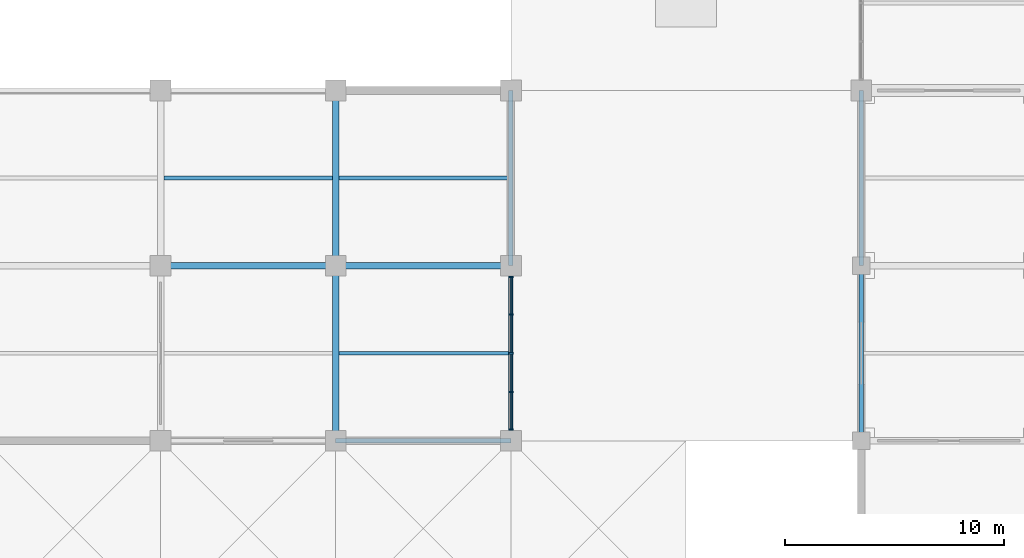
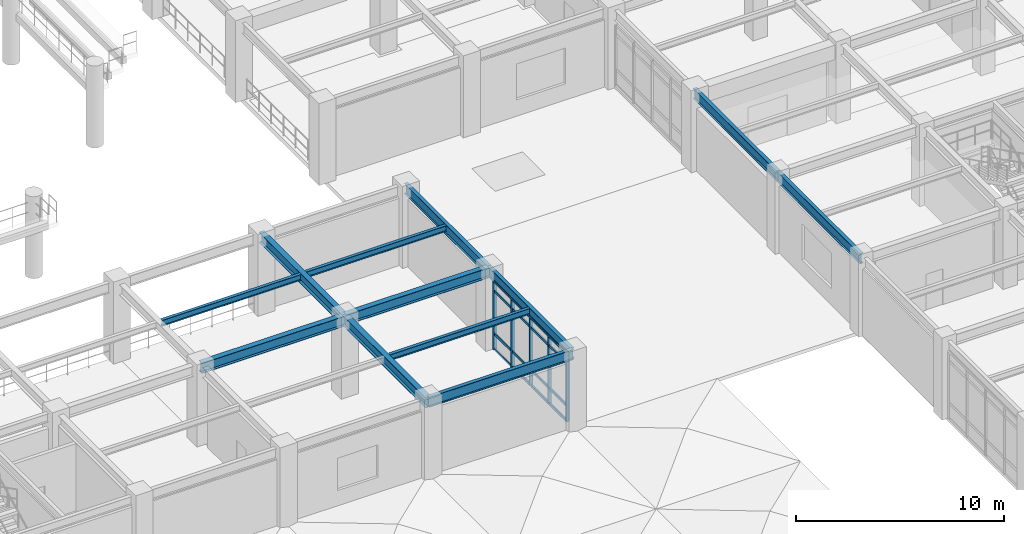
# One storey, part 20 of 109: 21 members, 12 beams, 1 element without a shape of its own.
"""IFC4 building model written with IfcOpenShell, lengths in metres."""

from ifc_helpers import new_model, si_unit, direction, frame, origin, origin_2d, place, context, subcontext, project, spatial, rectangle, i_section, extrude, material, layer, layer_set, material_profile, profile_set, type_object, element, aggregate, save


model = new_model("IFC4")

# Units and contexts
model_context = context("Model", 3, precision=1e-05, world=origin(), true_north=direction((0.0, 1.0)))
body_context = subcontext(model_context, "Body", "Model", "MODEL_VIEW")
ifc_project = project(units=[si_unit("LENGTHUNIT", "METRE"), si_unit("AREAUNIT", "SQUARE_METRE"), si_unit("VOLUMEUNIT", "CUBIC_METRE"), si_unit("PLANEANGLEUNIT", "RADIAN"), si_unit("MASSUNIT", "GRAM", prefix="KILO")], contexts=[model_context])

# Site, building, storey
site_placement = place(None, origin())
site = spatial("IfcSite", under=ifc_project, at=site_placement, CompositionType="ELEMENT")
building_placement = place(site_placement, origin())
building = spatial("IfcBuilding", under=site, at=building_placement, Name="Haebicheon Civic Stadium", CompositionType="ELEMENT")
storey_placement = place(building_placement, frame((0.0, 0.0, 9.60009765625)))
storey = spatial("IfcBuildingStorey", under=building, at=storey_placement, Name="L03", CompositionType="ELEMENT", Elevation=9.60009765625)

# Beams
ifc_material_1 = material(Name="Steel SM355 (S355)", Category="steel")
ifc_material_profile_1 = material_profile(ifc_material_1, i_section(OverallWidth=0.300048828125, OverallDepth=0.60009765625, WebThickness=0.011962890625, FlangeThickness=0.02001953125, at=origin_2d()), Name="H-600x300x12x20")
ifc_profile_set_1 = profile_set([ifc_material_profile_1], Name="Steel SM355 (S355)")
beam_type_1 = type_object("IfcBeamType", Name="BM-ST-H600A", PredefinedType="BEAM", material=ifc_profile_set_1)
for number, where, z_axis, x_axis, name in (
    (1, (136.0, 16.0, 4.239990234375), (0.0, 1.0, 0.0), (-1.0, 0.0, 0.0), "L03 girder 18/C-D"),
    (2, (136.0, 24.0, 4.239990234375), (0.0, 1.0, 0.0), (-1.0, 0.0, 0.0), "L03 girder 18/D-E"),
    (3, (128.0, 24.0, 4.239990234375), (1.0, 0.0, 0.0), (0.0, 1.0, 0.0), "L03 beam D/17-18"),
    (4, (136.0, 24.0, 4.27978515625), (1.0, 0.0, 0.0), (0.0, 1.0, 0.0), "L03 beam D/18-19"),
):
    element("IfcBeam", number, at=place(storey_placement, frame(where, z_axis=z_axis, x_axis=x_axis)), inside=storey, type_object=beam_type_1, material=ifc_profile_set_1, Name=name, PredefinedType="BEAM", context=body_context, shape_type="SweptSolid", body=[
        extrude(i_section(OverallWidth=0.300048828125, OverallDepth=0.60009765625, WebThickness=0.011962890625, FlangeThickness=0.02001953125, at=origin_2d()), origin(), (0.0, 0.0, 1.0), 8.0),
    ])

# Curtain wall, members
ifc_material_2 = material(Name="Anodised aluminium and laminated glass", Category="aluminium")
ifc_layer = layer(ifc_material_2, 0.179931640625, Name="Anodised aluminium and laminated glass")
ifc_layer_set = layer_set([ifc_layer], Name="Anodised aluminium and laminated glass")
curtain_wall_type = type_object("IfcCurtainWallType", Name="CW-7050x3950", PredefinedType="NOTDEFINED", material=ifc_layer_set)
curtain_wall_placement = place(storey_placement, origin())
curtain_wall = element("IfcCurtainWall", 5, at=curtain_wall_placement, inside=storey, type_object=curtain_wall_type, material=ifc_layer_set, Name="L03 unitised curtain wall 082", PredefinedType="NOTDEFINED")
ifc_material_3 = material(Name="Anodised aluminium 6063-T6", Category="aluminium")
ifc_material_profile_2 = material_profile(ifc_material_3, rectangle(XDim=0.070068359375, YDim=0.199951171875, at=origin_2d()), Name="ALU-MULL-70x200")
ifc_profile_set_2 = profile_set([ifc_material_profile_2], Name="Anodised aluminium 6063-T6")
member_type_1 = type_object("IfcMemberType", Name="CWM-200x70", PredefinedType="MULLION", material=ifc_profile_set_2)
member_1_placement = place(storey_placement, frame((144.0, 16.510009765625, 0.0), z_axis=(0.0, 0.0, 1.0), x_axis=(0.0, 1.0, 0.0)))
member_1 = element("IfcMember", 6, at=member_1_placement, type_object=member_type_1, material=ifc_profile_set_2, Name="CW-L03-082 vertical mullion 1", PredefinedType="MULLION", context=body_context, shape_type="SweptSolid", body=[
    extrude(rectangle(XDim=0.070068359375, YDim=0.199951171875, at=origin_2d()), origin(), (0.0, 0.0, 1.0), 3.949951171875),
])
member_2_placement = place(storey_placement, frame((144.0, 18.237060546875, 0.0), z_axis=(0.0, 0.0, 1.0), x_axis=(0.0, 1.0, 0.0)))
member_2 = element("IfcMember", 7, at=member_2_placement, type_object=member_type_1, material=ifc_profile_set_2, Name="CW-L03-082 vertical mullion 2", PredefinedType="MULLION", context=body_context, shape_type="SweptSolid", body=[
    extrude(rectangle(XDim=0.070068359375, YDim=0.199951171875, at=origin_2d()), origin(), (0.0, 0.0, 1.0), 3.949951171875),
])
member_3_placement = place(storey_placement, frame((144.0, 20.0, 0.0), z_axis=(0.0, 0.0, 1.0), x_axis=(0.0, 1.0, 0.0)))
member_3 = element("IfcMember", 8, at=member_3_placement, type_object=member_type_1, material=ifc_profile_set_2, Name="CW-L03-082 vertical mullion 3", PredefinedType="MULLION", context=body_context, shape_type="SweptSolid", body=[
    extrude(rectangle(XDim=0.070068359375, YDim=0.199951171875, at=origin_2d()), origin(), (0.0, 0.0, 1.0), 3.949951171875),
])
member_4_placement = place(storey_placement, frame((144.0, 21.762939453125, 0.0), z_axis=(0.0, 0.0, 1.0), x_axis=(0.0, 1.0, 0.0)))
member_4 = element("IfcMember", 9, at=member_4_placement, type_object=member_type_1, material=ifc_profile_set_2, Name="CW-L03-082 vertical mullion 4", PredefinedType="MULLION", context=body_context, shape_type="SweptSolid", body=[
    extrude(rectangle(XDim=0.070068359375, YDim=0.199951171875, at=origin_2d()), origin(), (0.0, 0.0, 1.0), 3.949951171875),
])
member_5_placement = place(storey_placement, frame((144.0, 23.489990234375, 0.0), z_axis=(0.0, 0.0, 1.0), x_axis=(0.0, 1.0, 0.0)))
member_5 = element("IfcMember", 10, at=member_5_placement, type_object=member_type_1, material=ifc_profile_set_2, Name="CW-L03-082 vertical mullion 5", PredefinedType="MULLION", context=body_context, shape_type="SweptSolid", body=[
    extrude(rectangle(XDim=0.070068359375, YDim=0.199951171875, at=origin_2d()), origin(), (0.0, 0.0, 1.0), 3.949951171875),
])
ifc_material_4 = material(Name="Anodised aluminium 6063-T6", Category="aluminium")
ifc_material_profile_3 = material_profile(ifc_material_4, rectangle(XDim=0.070068359375, YDim=0.14990234375, at=origin_2d()), Name="ALU-TRAN-70x150")
ifc_profile_set_3 = profile_set([ifc_material_profile_3], Name="Anodised aluminium 6063-T6")
member_type_2 = type_object("IfcMemberType", Name="CWT-150x70", PredefinedType="NOTDEFINED", material=ifc_profile_set_3)
member_6_placement = place(storey_placement, frame((144.0, 16.544921875, 0.0), z_axis=(0.0, 1.0, 0.0), x_axis=(-1.0, 0.0, 0.0)))
member_6 = element("IfcMember", 11, at=member_6_placement, type_object=member_type_2, material=ifc_profile_set_3, Name="CW-L03-082 horizontal transom 1.1", ObjectType="TRANSOM", PredefinedType="USERDEFINED", context=body_context, shape_type="SweptSolid", body=[
    extrude(rectangle(XDim=0.070068359375, YDim=0.14990234375, at=origin_2d()), origin(), (0.0, 0.0, 1.0), 1.656982421875),
])
member_7_placement = place(storey_placement, frame((144.0, 16.544921875, 0.89990234375), z_axis=(0.0, 1.0, 0.0), x_axis=(-1.0, 0.0, 0.0)))
member_7 = element("IfcMember", 12, at=member_7_placement, type_object=member_type_2, material=ifc_profile_set_3, Name="CW-L03-082 horizontal transom 1.2", ObjectType="TRANSOM", PredefinedType="USERDEFINED", context=body_context, shape_type="SweptSolid", body=[
    extrude(rectangle(XDim=0.070068359375, YDim=0.14990234375, at=origin_2d()), origin(), (0.0, 0.0, 1.0), 1.656982421875),
])
member_8_placement = place(storey_placement, frame((144.0, 16.544921875, 3.39990234375), z_axis=(0.0, 1.0, 0.0), x_axis=(-1.0, 0.0, 0.0)))
member_8 = element("IfcMember", 13, at=member_8_placement, type_object=member_type_2, material=ifc_profile_set_3, Name="CW-L03-082 horizontal transom 1.3", ObjectType="TRANSOM", PredefinedType="USERDEFINED", context=body_context, shape_type="SweptSolid", body=[
    extrude(rectangle(XDim=0.070068359375, YDim=0.14990234375, at=origin_2d()), origin(), (0.0, 0.0, 1.0), 1.656982421875),
])
member_9_placement = place(storey_placement, frame((144.0, 16.544921875, 3.949951171875), z_axis=(0.0, 1.0, 0.0), x_axis=(-1.0, 0.0, 0.0)))
member_9 = element("IfcMember", 14, at=member_9_placement, type_object=member_type_2, material=ifc_profile_set_3, Name="CW-L03-082 horizontal transom 1.4", ObjectType="TRANSOM", PredefinedType="USERDEFINED", context=body_context, shape_type="SweptSolid", body=[
    extrude(rectangle(XDim=0.070068359375, YDim=0.14990234375, at=origin_2d()), origin(), (0.0, 0.0, 1.0), 1.656982421875),
])
member_10_placement = place(storey_placement, frame((144.0, 18.27197265625, 0.0), z_axis=(0.0, 1.0, 0.0), x_axis=(-1.0, 0.0, 0.0)))
member_10 = element("IfcMember", 15, at=member_10_placement, type_object=member_type_2, material=ifc_profile_set_3, Name="CW-L03-082 horizontal transom 2.1", ObjectType="TRANSOM", PredefinedType="USERDEFINED", context=body_context, shape_type="SweptSolid", body=[
    extrude(rectangle(XDim=0.070068359375, YDim=0.14990234375, at=origin_2d()), origin(), (0.0, 0.0, 1.0), 1.693115234375),
])
member_11_placement = place(storey_placement, frame((144.0, 18.27197265625, 0.89990234375), z_axis=(0.0, 1.0, 0.0), x_axis=(-1.0, 0.0, 0.0)))
member_11 = element("IfcMember", 16, at=member_11_placement, type_object=member_type_2, material=ifc_profile_set_3, Name="CW-L03-082 horizontal transom 2.2", ObjectType="TRANSOM", PredefinedType="USERDEFINED", context=body_context, shape_type="SweptSolid", body=[
    extrude(rectangle(XDim=0.070068359375, YDim=0.14990234375, at=origin_2d()), origin(), (0.0, 0.0, 1.0), 1.693115234375),
])
member_12_placement = place(storey_placement, frame((144.0, 18.27197265625, 3.39990234375), z_axis=(0.0, 1.0, 0.0), x_axis=(-1.0, 0.0, 0.0)))
member_12 = element("IfcMember", 17, at=member_12_placement, type_object=member_type_2, material=ifc_profile_set_3, Name="CW-L03-082 horizontal transom 2.3", ObjectType="TRANSOM", PredefinedType="USERDEFINED", context=body_context, shape_type="SweptSolid", body=[
    extrude(rectangle(XDim=0.070068359375, YDim=0.14990234375, at=origin_2d()), origin(), (0.0, 0.0, 1.0), 1.693115234375),
])
member_13_placement = place(storey_placement, frame((144.0, 18.27197265625, 3.949951171875), z_axis=(0.0, 1.0, 0.0), x_axis=(-1.0, 0.0, 0.0)))
member_13 = element("IfcMember", 18, at=member_13_placement, type_object=member_type_2, material=ifc_profile_set_3, Name="CW-L03-082 horizontal transom 2.4", ObjectType="TRANSOM", PredefinedType="USERDEFINED", context=body_context, shape_type="SweptSolid", body=[
    extrude(rectangle(XDim=0.070068359375, YDim=0.14990234375, at=origin_2d()), origin(), (0.0, 0.0, 1.0), 1.693115234375),
])
member_14_placement = place(storey_placement, frame((144.0, 20.034912109375, 0.0), z_axis=(0.0, 1.0, 0.0), x_axis=(-1.0, 0.0, 0.0)))
member_14 = element("IfcMember", 19, at=member_14_placement, type_object=member_type_2, material=ifc_profile_set_3, Name="CW-L03-082 horizontal transom 3.1", ObjectType="TRANSOM", PredefinedType="USERDEFINED", context=body_context, shape_type="SweptSolid", body=[
    extrude(rectangle(XDim=0.070068359375, YDim=0.14990234375, at=origin_2d()), origin(), (0.0, 0.0, 1.0), 1.693115234375),
])
member_15_placement = place(storey_placement, frame((144.0, 20.034912109375, 0.89990234375), z_axis=(0.0, 1.0, 0.0), x_axis=(-1.0, 0.0, 0.0)))
member_15 = element("IfcMember", 20, at=member_15_placement, type_object=member_type_2, material=ifc_profile_set_3, Name="CW-L03-082 horizontal transom 3.2", ObjectType="TRANSOM", PredefinedType="USERDEFINED", context=body_context, shape_type="SweptSolid", body=[
    extrude(rectangle(XDim=0.070068359375, YDim=0.14990234375, at=origin_2d()), origin(), (0.0, 0.0, 1.0), 1.693115234375),
])
member_16_placement = place(storey_placement, frame((144.0, 20.034912109375, 3.39990234375), z_axis=(0.0, 1.0, 0.0), x_axis=(-1.0, 0.0, 0.0)))
member_16 = element("IfcMember", 21, at=member_16_placement, type_object=member_type_2, material=ifc_profile_set_3, Name="CW-L03-082 horizontal transom 3.3", ObjectType="TRANSOM", PredefinedType="USERDEFINED", context=body_context, shape_type="SweptSolid", body=[
    extrude(rectangle(XDim=0.070068359375, YDim=0.14990234375, at=origin_2d()), origin(), (0.0, 0.0, 1.0), 1.693115234375),
])
member_17_placement = place(storey_placement, frame((144.0, 20.034912109375, 3.949951171875), z_axis=(0.0, 1.0, 0.0), x_axis=(-1.0, 0.0, 0.0)))
member_17 = element("IfcMember", 22, at=member_17_placement, type_object=member_type_2, material=ifc_profile_set_3, Name="CW-L03-082 horizontal transom 3.4", ObjectType="TRANSOM", PredefinedType="USERDEFINED", context=body_context, shape_type="SweptSolid", body=[
    extrude(rectangle(XDim=0.070068359375, YDim=0.14990234375, at=origin_2d()), origin(), (0.0, 0.0, 1.0), 1.693115234375),
])
member_18_placement = place(storey_placement, frame((144.0, 21.798095703125, 0.0), z_axis=(0.0, 1.0, 0.0), x_axis=(-1.0, 0.0, 0.0)))
member_18 = element("IfcMember", 23, at=member_18_placement, type_object=member_type_2, material=ifc_profile_set_3, Name="CW-L03-082 horizontal transom 4.1", ObjectType="TRANSOM", PredefinedType="USERDEFINED", context=body_context, shape_type="SweptSolid", body=[
    extrude(rectangle(XDim=0.070068359375, YDim=0.14990234375, at=origin_2d()), origin(), (0.0, 0.0, 1.0), 1.656982421875),
])
member_19_placement = place(storey_placement, frame((144.0, 21.798095703125, 0.89990234375), z_axis=(0.0, 1.0, 0.0), x_axis=(-1.0, 0.0, 0.0)))
member_19 = element("IfcMember", 24, at=member_19_placement, type_object=member_type_2, material=ifc_profile_set_3, Name="CW-L03-082 horizontal transom 4.2", ObjectType="TRANSOM", PredefinedType="USERDEFINED", context=body_context, shape_type="SweptSolid", body=[
    extrude(rectangle(XDim=0.070068359375, YDim=0.14990234375, at=origin_2d()), origin(), (0.0, 0.0, 1.0), 1.656982421875),
])
member_20_placement = place(storey_placement, frame((144.0, 21.798095703125, 3.39990234375), z_axis=(0.0, 1.0, 0.0), x_axis=(-1.0, 0.0, 0.0)))
member_20 = element("IfcMember", 25, at=member_20_placement, type_object=member_type_2, material=ifc_profile_set_3, Name="CW-L03-082 horizontal transom 4.3", ObjectType="TRANSOM", PredefinedType="USERDEFINED", context=body_context, shape_type="SweptSolid", body=[
    extrude(rectangle(XDim=0.070068359375, YDim=0.14990234375, at=origin_2d()), origin(), (0.0, 0.0, 1.0), 1.656982421875),
])
member_21_placement = place(storey_placement, frame((144.0, 21.798095703125, 3.949951171875), z_axis=(0.0, 1.0, 0.0), x_axis=(-1.0, 0.0, 0.0)))
member_21 = element("IfcMember", 26, at=member_21_placement, type_object=member_type_2, material=ifc_profile_set_3, Name="CW-L03-082 horizontal transom 4.4", ObjectType="TRANSOM", PredefinedType="USERDEFINED", context=body_context, shape_type="SweptSolid", body=[
    extrude(rectangle(XDim=0.070068359375, YDim=0.14990234375, at=origin_2d()), origin(), (0.0, 0.0, 1.0), 1.656982421875),
])
aggregate(curtain_wall, [member_1, member_2, member_3, member_4, member_5, member_6, member_7, member_8, member_9, member_10, member_11, member_12, member_13, member_14, member_15, member_16, member_17, member_18, member_19, member_20, member_21])

# Beams
ifc_material_5 = material(Name="Steel SM355 (S355)", Category="steel")
ifc_material_profile_4 = material_profile(ifc_material_5, i_section(OverallWidth=0.175048828125, OverallDepth=0.35009765625, WebThickness=0.007080078125, FlangeThickness=0.010986328125, at=origin_2d()), Name="H-350x175x7x11")
ifc_profile_set_4 = profile_set([ifc_material_profile_4], Name="Steel SM355 (S355)")
beam_type_2 = type_object("IfcBeamType", Name="JST-ST-H350", PredefinedType="JOIST", material=ifc_profile_set_4)
beam_placement = place(storey_placement, frame((128.14990234375, 28.0, 4.364990234375), z_axis=(1.0, 0.0, 0.0), x_axis=(0.0, 1.0, 0.0)))
element("IfcBeam", 27, at=beam_placement, inside=storey, type_object=beam_type_2, material=ifc_profile_set_4, Name="L03 secondary joist 16-03", PredefinedType="JOIST", context=body_context, shape_type="SweptSolid", body=[
    extrude(i_section(OverallWidth=0.175048828125, OverallDepth=0.35009765625, WebThickness=0.007080078125, FlangeThickness=0.010986328125, at=origin_2d()), origin(), (0.0, 0.0, 1.0), 7.7001953125),
])
for number, where, z_axis, x_axis, name in (
    (28, (136.14990234375, 20.0, 4.40478515625), (1.0, 0.0, 0.0), (0.0, 1.0, 0.0), "L03 secondary joist 17-02"),
    (29, (136.14990234375, 28.0, 4.40478515625), (1.0, 0.0, 0.0), (0.0, 1.0, 0.0), "L03 secondary joist 17-03"),
):
    element("IfcBeam", number, at=place(storey_placement, frame(where, z_axis=z_axis, x_axis=x_axis)), inside=storey, type_object=beam_type_2, material=ifc_profile_set_4, Name=name, PredefinedType="JOIST", context=body_context, shape_type="SweptSolid", body=[
        extrude(i_section(OverallWidth=0.175048828125, OverallDepth=0.35009765625, WebThickness=0.007080078125, FlangeThickness=0.010986328125, at=origin_2d()), origin(), (0.0, 0.0, 1.0), 7.75),
    ])
ifc_material_6 = material(Name="Steel SM355 (S355)", Category="steel")
ifc_material_profile_5 = material_profile(ifc_material_6, i_section(OverallWidth=0.199951171875, OverallDepth=0.60009765625, WebThickness=0.010986328125, FlangeThickness=0.01708984375, at=origin_2d()), Name="H-600x200x11x17")
ifc_profile_set_5 = profile_set([ifc_material_profile_5], Name="Steel SM355 (S355)")
beam_type_3 = type_object("IfcBeamType", Name="SPD-ST-H600B", PredefinedType="SPANDREL", material=ifc_profile_set_5)
for number, where, z_axis, x_axis, name in (
    (30, (144.0, 16.0, 4.27978515625), (0.0, 1.0, 0.0), (-1.0, 0.0, 0.0), "L03 girder 19/C-D"),
    (31, (144.0, 24.0, 4.27978515625), (0.0, 1.0, 0.0), (-1.0, 0.0, 0.0), "L03 girder 19/D-E"),
    (32, (160.0, 16.0, 4.239990234375), (0.0, 1.0, 0.0), (-1.0, 0.0, 0.0), "L03 girder 21/C-D"),
    (33, (160.0, 24.0, 4.239990234375), (0.0, 1.0, 0.0), (-1.0, 0.0, 0.0), "L03 girder 21/D-E"),
    (34, (136.0, 16.0, 4.27978515625), (1.0, 0.0, 0.0), (0.0, 1.0, 0.0), "L03 beam C/18-19"),
):
    element("IfcBeam", number, at=place(storey_placement, frame(where, z_axis=z_axis, x_axis=x_axis)), inside=storey, type_object=beam_type_3, material=ifc_profile_set_5, Name=name, PredefinedType="SPANDREL", context=body_context, shape_type="SweptSolid", body=[
        extrude(i_section(OverallWidth=0.199951171875, OverallDepth=0.60009765625, WebThickness=0.010986328125, FlangeThickness=0.01708984375, at=origin_2d()), origin(), (0.0, 0.0, 1.0), 8.0),
    ])

save(model, "model.ifc")
